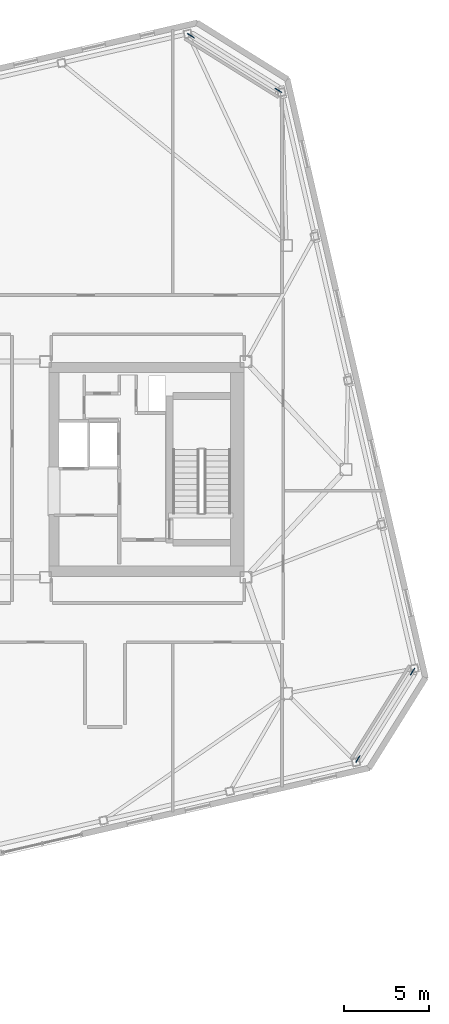
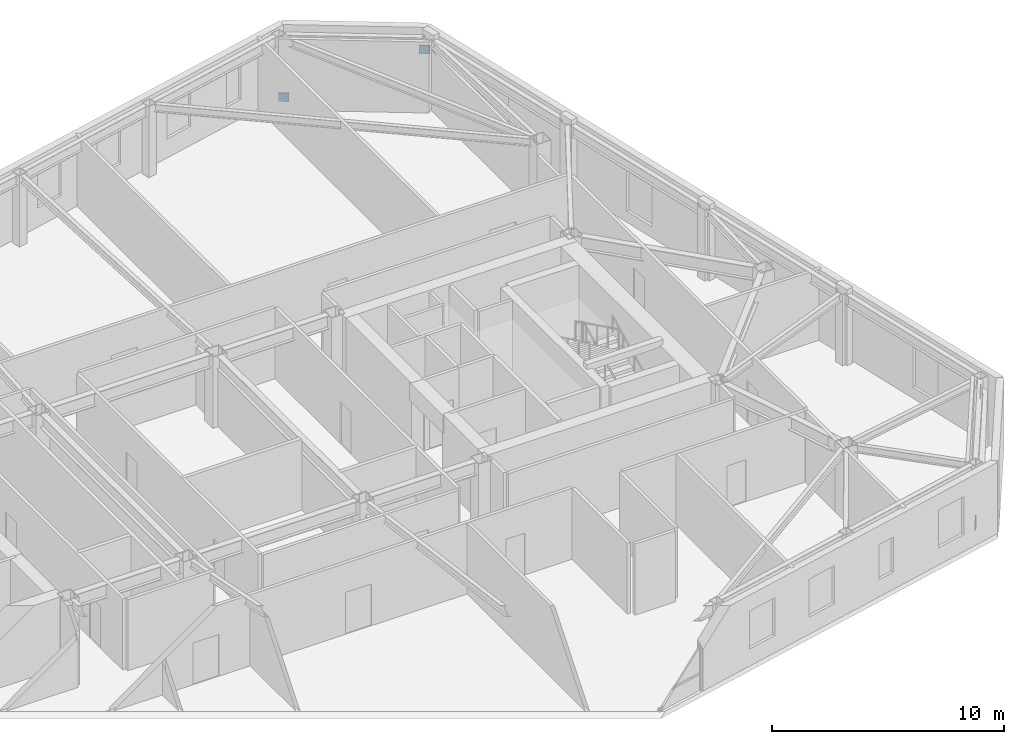
# One storey, part 22 of 23: 4 discrete accessories.
"""IFC4 building model written with IfcOpenShell, lengths in metres."""

from ifc_helpers import new_model, si_unit, direction, frame, origin, origin_2d, place, context, subcontext, project, spatial, rectangle, extrude, material, type_object, element, save


model = new_model("IFC4")

# Units and contexts
model_context = context("Model", 3, precision=1e-05, world=origin(), true_north=direction((0.0, 1.0)))
body_context = subcontext(model_context, "Body", "Model", "MODEL_VIEW")
ifc_project = project(units=[si_unit("LENGTHUNIT", "METRE"), si_unit("AREAUNIT", "SQUARE_METRE"), si_unit("VOLUMEUNIT", "CUBIC_METRE"), si_unit("PLANEANGLEUNIT", "RADIAN"), si_unit("MASSUNIT", "GRAM", prefix="KILO")], contexts=[model_context])

# Site, building, storey
site_placement = place(None, origin())
site = spatial("IfcSite", under=ifc_project, at=site_placement, CompositionType="ELEMENT")
building_placement = place(site_placement, origin())
building = spatial("IfcBuilding", under=site, at=building_placement, Name="Tavrogorsk Clinical Tower", CompositionType="ELEMENT")
storey_placement = place(building_placement, frame((0.0, 0.0, 301.0)))
storey = spatial("IfcBuildingStorey", under=building, at=storey_placement, Name="L70", CompositionType="ELEMENT", Elevation=301.0)

# Discrete accessories
ifc_material = material(Name="Structural steel S440", Category="steel")
discrete_accessory_type = type_object("IfcDiscreteAccessoryType", Name="GussetPlateBracket_25", PredefinedType="BRACKET", material=ifc_material)
for number, where, z_axis, x_axis, name in (
    (1, (28.70166015625, -17.063720703125, 0.163330078125), (0.0, 0.0, 1.0), (0.529919264233, 0.848048096156, 0.0), "L70 Brace Gusset Plate EXOCRN-L70-1-A"),
    (2, (31.9228515625, -11.9091796875, 2.81689453125), (0.0, 0.0, 1.0), (0.529919264233, 0.848048096156, 0.0), "L70 Brace Gusset Plate EXOCRN-L70-1-B"),
    (3, (18.86279296875, 25.55322265625, 0.163330078125), (0.0, 0.0, 1.0), (0.848048096156, -0.529919264233, 0.0), "L70 Brace Gusset Plate EXOCRN-L70-2-A"),
    (4, (24.017578125, 22.332275390625, 2.81689453125), (0.0, 0.0, 1.0), (0.848048096156, -0.529919264233, 0.0), "L70 Brace Gusset Plate EXOCRN-L70-2-B"),
):
    element("IfcDiscreteAccessory", number, at=place(storey_placement, frame(where, z_axis=z_axis, x_axis=x_axis)), inside=storey, type_object=discrete_accessory_type, Name=name, PredefinedType="BRACKET", context=body_context, shape_type="SweptSolid", body=[
        extrude(rectangle(XDim=0.4599609375, YDim=0.0400390625, at=origin_2d()), origin(), (0.0, 0.0, 1.0), 0.4599609375),
    ])

save(model, "model.ifc")
